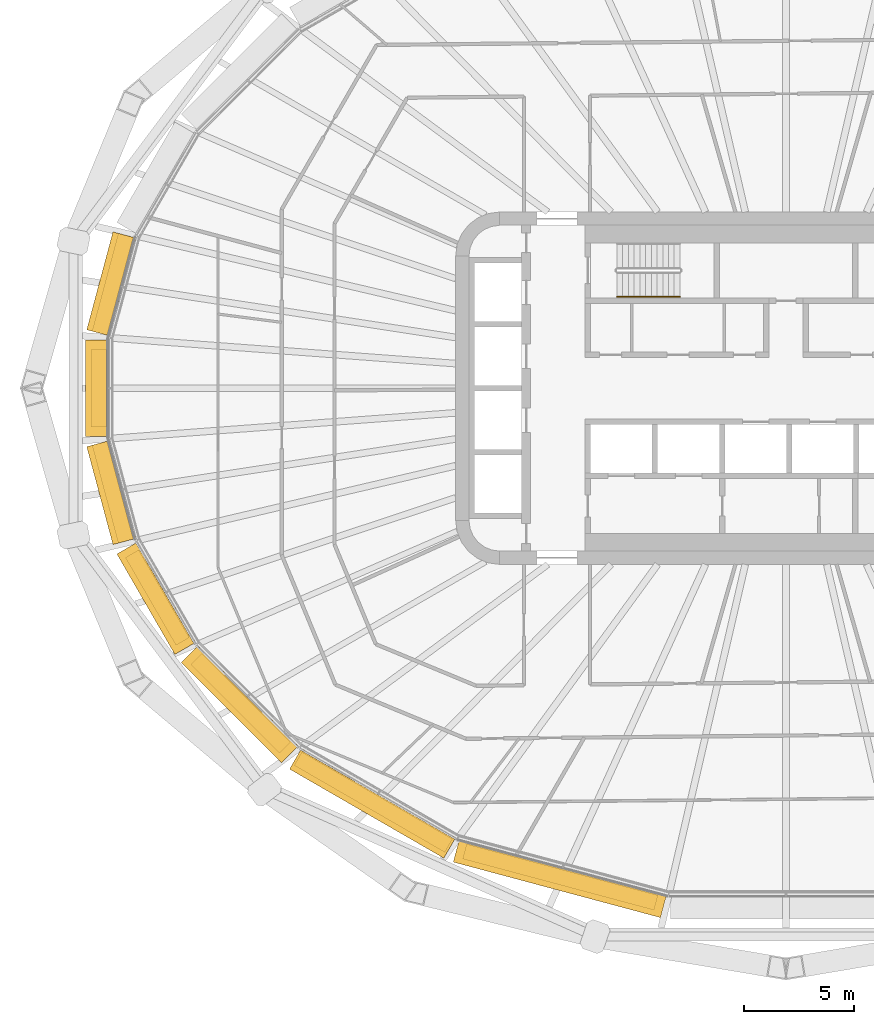
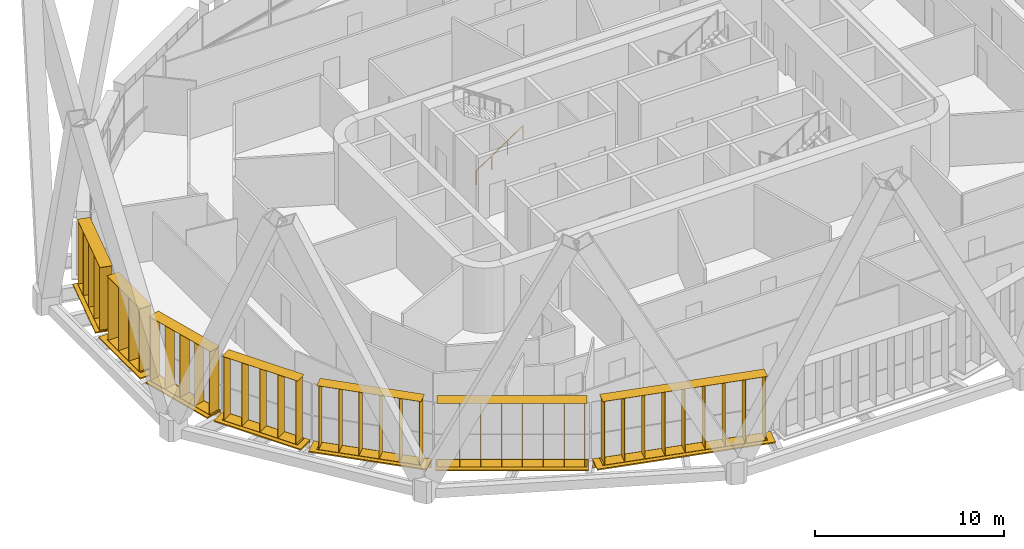
# One storey, part 20 of 25: 14 shading devices, 1 railing.
"""IFC4 building model written with IfcOpenShell, lengths in metres."""

from ifc_helpers import new_model, si_unit, direction, frame, origin, origin_2d, place, context, subcontext, project, spatial, rectangle, circle, extrude, material, type_object, element, save


model = new_model("IFC4")

# Units and contexts
model_context = context("Model", 3, precision=1e-05, world=origin(), true_north=direction((0.0, 1.0)))
body_context = subcontext(model_context, "Body", "Model", "MODEL_VIEW")
ifc_project = project(units=[si_unit("LENGTHUNIT", "METRE"), si_unit("AREAUNIT", "SQUARE_METRE"), si_unit("VOLUMEUNIT", "CUBIC_METRE"), si_unit("PLANEANGLEUNIT", "RADIAN"), si_unit("MASSUNIT", "GRAM", prefix="KILO")], contexts=[model_context])

# Site, building, storey
site_placement = place(None, origin())
site = spatial("IfcSite", under=ifc_project, at=site_placement, CompositionType="ELEMENT")
building_placement = place(site_placement, origin())
building = spatial("IfcBuilding", under=site, at=building_placement, Name="Sahrelin Media Tower", CompositionType="ELEMENT")
storey_placement = place(building_placement, frame((0.0, 0.0, 63.0)))
storey = spatial("IfcBuildingStorey", under=building, at=storey_placement, Name="L10", CompositionType="ELEMENT", Elevation=63.0)

# Shading devices
ifc_material_1 = material(Name="Champagne anodised aluminium 6063-T6", Category="aluminium")
shading_device_type_1 = type_object("IfcShadingDeviceType", Name="Fin cassette", PredefinedType="USERDEFINED", material=ifc_material_1)
placement_1 = place(storey_placement, frame((-30.169189453125, 4.612548828125, 0.0), z_axis=(0.0, 0.0, 1.0), x_axis=(0.258807731996, 0.965928857556, 0.0)))
element("IfcShadingDevice", 1, at=placement_1, inside=storey, type_object=shading_device_type_1, Name="L10:FIN:L10-11", ObjectType="FIN", PredefinedType="USERDEFINED", context=body_context, shape_type="SweptSolid", body=[
    extrude(rectangle(XDim=4.60009765625, YDim=0.699951171875, at=origin_2d()), frame((0.0, 0.419921875, 0.0)), (0.0, 0.0, 1.0), 0.02001953125),
    extrude(rectangle(XDim=4.60009765625, YDim=0.699951171875, at=origin_2d()), frame((0.0, 0.419921875, 4.10009765625)), (0.0, 0.0, 1.0), 0.02001953125),
    extrude(rectangle(XDim=0.02001953125, YDim=0.699951171875, at=origin_2d()), frame((-2.199951171875, 0.419921875, 0.010009765625), z_axis=(0.0, 0.0, 1.0), x_axis=(1.0, 0.0, 0.0)), (0.0, 0.0, 1.0), 4.10009765625),
    extrude(rectangle(XDim=0.02001953125, YDim=0.699951171875, at=origin_2d()), frame((-1.10009765625, 0.419921875, 0.010009765625), z_axis=(0.0, 0.0, 1.0), x_axis=(1.0, 0.0, 0.0)), (0.0, 0.0, 1.0), 4.10009765625),
    extrude(rectangle(XDim=0.02001953125, YDim=0.699951171875, at=origin_2d()), frame((0.0, 0.419921875, 0.010009765625), z_axis=(0.0, 0.0, 1.0), x_axis=(1.0, 0.0, 0.0)), (0.0, 0.0, 1.0), 4.10009765625),
    extrude(rectangle(XDim=0.02001953125, YDim=0.699951171875, at=origin_2d()), frame((1.10009765625, 0.419921875, 0.010009765625), z_axis=(0.0, 0.0, 1.0), x_axis=(1.0, 0.0, 0.0)), (0.0, 0.0, 1.0), 4.10009765625),
    extrude(rectangle(XDim=0.02001953125, YDim=0.699951171875, at=origin_2d()), frame((2.199951171875, 0.419921875, 0.010009765625), z_axis=(0.0, 0.0, 1.0), x_axis=(1.0, 0.0, 0.0)), (0.0, 0.0, 1.0), 4.10009765625),
])
placement_2 = place(storey_placement, frame((-30.790283203125, 0.0, 0.0), z_axis=(0.0, 0.0, 1.0), x_axis=(0.0, 1.0, 0.0)))
element("IfcShadingDevice", 2, at=placement_2, inside=storey, type_object=shading_device_type_1, Name="L10:FIN:L10-12", ObjectType="FIN", PredefinedType="USERDEFINED", context=body_context, shape_type="SweptSolid", body=[
    extrude(rectangle(XDim=3.5, YDim=0.699951171875, at=origin_2d()), frame((0.0, 0.419921875, 0.0)), (0.0, 0.0, 1.0), 0.02001953125),
    extrude(rectangle(XDim=3.5, YDim=0.699951171875, at=origin_2d()), frame((0.0, 0.419921875, 4.10009765625)), (0.0, 0.0, 1.0), 0.02001953125),
    extrude(rectangle(XDim=0.02001953125, YDim=0.699951171875, at=origin_2d()), frame((-1.64990234375, 0.419921875, 0.010009765625), z_axis=(0.0, 0.0, 1.0), x_axis=(1.0, 0.0, 0.0)), (0.0, 0.0, 1.0), 4.10009765625),
    extrude(rectangle(XDim=0.02001953125, YDim=0.699951171875, at=origin_2d()), frame((-0.550048828125, 0.419921875, 0.010009765625), z_axis=(0.0, 0.0, 1.0), x_axis=(1.0, 0.0, 0.0)), (0.0, 0.0, 1.0), 4.10009765625),
    extrude(rectangle(XDim=0.02001953125, YDim=0.699951171875, at=origin_2d()), frame((0.550048828125, 0.419921875, 0.010009765625), z_axis=(0.0, 0.0, 1.0), x_axis=(1.0, 0.0, 0.0)), (0.0, 0.0, 1.0), 4.10009765625),
    extrude(rectangle(XDim=0.02001953125, YDim=0.699951171875, at=origin_2d()), frame((1.64990234375, 0.419921875, 0.010009765625), z_axis=(0.0, 0.0, 1.0), x_axis=(1.0, 0.0, 0.0)), (0.0, 0.0, 1.0), 4.10009765625),
])
placement_3 = place(storey_placement, frame((-30.169189453125, -4.612548828125, 0.0), z_axis=(0.0, 0.0, 1.0), x_axis=(-0.258807731996, 0.965928857556, 0.0)))
element("IfcShadingDevice", 3, at=placement_3, inside=storey, type_object=shading_device_type_1, Name="L10:FIN:L10-13", ObjectType="FIN", PredefinedType="USERDEFINED", context=body_context, shape_type="SweptSolid", body=[
    extrude(rectangle(XDim=4.60009765625, YDim=0.699951171875, at=origin_2d()), frame((0.0, 0.419921875, 0.0)), (0.0, 0.0, 1.0), 0.02001953125),
    extrude(rectangle(XDim=4.60009765625, YDim=0.699951171875, at=origin_2d()), frame((0.0, 0.419921875, 4.10009765625)), (0.0, 0.0, 1.0), 0.02001953125),
    extrude(rectangle(XDim=0.02001953125, YDim=0.699951171875, at=origin_2d()), frame((-2.199951171875, 0.419921875, 0.010009765625), z_axis=(0.0, 0.0, 1.0), x_axis=(1.0, 0.0, 0.0)), (0.0, 0.0, 1.0), 4.10009765625),
    extrude(rectangle(XDim=0.02001953125, YDim=0.699951171875, at=origin_2d()), frame((-1.10009765625, 0.419921875, 0.010009765625), z_axis=(0.0, 0.0, 1.0), x_axis=(1.0, 0.0, 0.0)), (0.0, 0.0, 1.0), 4.10009765625),
    extrude(rectangle(XDim=0.02001953125, YDim=0.699951171875, at=origin_2d()), frame((0.0, 0.419921875, 0.010009765625), z_axis=(0.0, 0.0, 1.0), x_axis=(1.0, 0.0, 0.0)), (0.0, 0.0, 1.0), 4.10009765625),
    extrude(rectangle(XDim=0.02001953125, YDim=0.699951171875, at=origin_2d()), frame((1.10009765625, 0.419921875, 0.010009765625), z_axis=(0.0, 0.0, 1.0), x_axis=(1.0, 0.0, 0.0)), (0.0, 0.0, 1.0), 4.10009765625),
    extrude(rectangle(XDim=0.02001953125, YDim=0.699951171875, at=origin_2d()), frame((2.199951171875, 0.419921875, 0.010009765625), z_axis=(0.0, 0.0, 1.0), x_axis=(1.0, 0.0, 0.0)), (0.0, 0.0, 1.0), 4.10009765625),
])
placement_4 = place(storey_placement, frame((-28.181884765625, -9.296630859375, 0.0), z_axis=(0.0, 0.0, 1.0), x_axis=(-0.500011000363, 0.866019052629, 0.0)))
element("IfcShadingDevice", 4, at=placement_4, inside=storey, type_object=shading_device_type_1, Name="L10:FIN:L10-14", ObjectType="FIN", PredefinedType="USERDEFINED", context=body_context, shape_type="SweptSolid", body=[
    extrude(rectangle(XDim=4.60009765625, YDim=0.699951171875, at=origin_2d()), frame((0.0, 0.419921875, 0.0)), (0.0, 0.0, 1.0), 0.02001953125),
    extrude(rectangle(XDim=4.60009765625, YDim=0.699951171875, at=origin_2d()), frame((0.0, 0.419921875, 4.10009765625)), (0.0, 0.0, 1.0), 0.02001953125),
    extrude(rectangle(XDim=0.02001953125, YDim=0.699951171875, at=origin_2d()), frame((-2.199951171875, 0.419921875, 0.010009765625), z_axis=(0.0, 0.0, 1.0), x_axis=(1.0, 0.0, 0.0)), (0.0, 0.0, 1.0), 4.10009765625),
    extrude(rectangle(XDim=0.02001953125, YDim=0.699951171875, at=origin_2d()), frame((-1.10009765625, 0.419921875, 0.010009765625), z_axis=(0.0, 0.0, 1.0), x_axis=(1.0, 0.0, 0.0)), (0.0, 0.0, 1.0), 4.10009765625),
    extrude(rectangle(XDim=0.02001953125, YDim=0.699951171875, at=origin_2d()), frame((0.0, 0.419921875, 0.010009765625), z_axis=(0.0, 0.0, 1.0), x_axis=(1.0, 0.0, 0.0)), (0.0, 0.0, 1.0), 4.10009765625),
    extrude(rectangle(XDim=0.02001953125, YDim=0.699951171875, at=origin_2d()), frame((1.10009765625, 0.419921875, 0.010009765625), z_axis=(0.0, 0.0, 1.0), x_axis=(1.0, 0.0, 0.0)), (0.0, 0.0, 1.0), 4.10009765625),
    extrude(rectangle(XDim=0.02001953125, YDim=0.699951171875, at=origin_2d()), frame((2.199951171875, 0.419921875, 0.010009765625), z_axis=(0.0, 0.0, 1.0), x_axis=(1.0, 0.0, 0.0)), (0.0, 0.0, 1.0), 4.10009765625),
])
placement_5 = place(storey_placement, frame((-24.46728515625, -14.011474609375, 0.0), z_axis=(0.0, 0.0, 1.0), x_axis=(-0.707106781187, 0.707106781187, 0.0)))
element("IfcShadingDevice", 5, at=placement_5, inside=storey, type_object=shading_device_type_1, Name="L10:FIN:L10-15", ObjectType="FIN", PredefinedType="USERDEFINED", context=body_context, shape_type="SweptSolid", body=[
    extrude(rectangle(XDim=5.699951171875, YDim=0.699951171875, at=origin_2d()), frame((0.0, 0.419921875, 0.0)), (0.0, 0.0, 1.0), 0.02001953125),
    extrude(rectangle(XDim=5.699951171875, YDim=0.699951171875, at=origin_2d()), frame((0.0, 0.419921875, 4.10009765625)), (0.0, 0.0, 1.0), 0.02001953125),
    extrude(rectangle(XDim=0.02001953125, YDim=0.699951171875, at=origin_2d()), frame((-2.75, 0.419921875, 0.010009765625), z_axis=(0.0, 0.0, 1.0), x_axis=(1.0, 0.0, 0.0)), (0.0, 0.0, 1.0), 4.10009765625),
    extrude(rectangle(XDim=0.02001953125, YDim=0.699951171875, at=origin_2d()), frame((-1.64990234375, 0.419921875, 0.010009765625), z_axis=(0.0, 0.0, 1.0), x_axis=(1.0, 0.0, 0.0)), (0.0, 0.0, 1.0), 4.10009765625),
    extrude(rectangle(XDim=0.02001953125, YDim=0.699951171875, at=origin_2d()), frame((-0.550048828125, 0.419921875, 0.010009765625), z_axis=(0.0, 0.0, 1.0), x_axis=(1.0, 0.0, 0.0)), (0.0, 0.0, 1.0), 4.10009765625),
    extrude(rectangle(XDim=0.02001953125, YDim=0.699951171875, at=origin_2d()), frame((0.550048828125, 0.419921875, 0.010009765625), z_axis=(0.0, 0.0, 1.0), x_axis=(1.0, 0.0, 0.0)), (0.0, 0.0, 1.0), 4.10009765625),
    extrude(rectangle(XDim=0.02001953125, YDim=0.699951171875, at=origin_2d()), frame((1.64990234375, 0.419921875, 0.010009765625), z_axis=(0.0, 0.0, 1.0), x_axis=(1.0, 0.0, 0.0)), (0.0, 0.0, 1.0), 4.10009765625),
    extrude(rectangle(XDim=0.02001953125, YDim=0.699951171875, at=origin_2d()), frame((2.75, 0.419921875, 0.010009765625), z_axis=(0.0, 0.0, 1.0), x_axis=(1.0, 0.0, 0.0)), (0.0, 0.0, 1.0), 4.10009765625),
])
placement_6 = place(storey_placement, frame((-18.529296875, -18.432373046875, 0.0), z_axis=(0.0, 0.0, 1.0), x_axis=(-0.866019052629, 0.500011000363, 0.0)))
element("IfcShadingDevice", 6, at=placement_6, inside=storey, type_object=shading_device_type_1, Name="L10:FIN:L10-16", ObjectType="FIN", PredefinedType="USERDEFINED", context=body_context, shape_type="SweptSolid", body=[
    extrude(rectangle(XDim=7.89990234375, YDim=0.699951171875, at=origin_2d()), frame((0.0, 0.419921875, 0.0)), (0.0, 0.0, 1.0), 0.02001953125),
    extrude(rectangle(XDim=7.89990234375, YDim=0.699951171875, at=origin_2d()), frame((0.0, 0.419921875, 4.10009765625)), (0.0, 0.0, 1.0), 0.02001953125),
    extrude(rectangle(XDim=0.02001953125, YDim=0.699951171875, at=origin_2d()), frame((-3.85009765625, 0.419921875, 0.010009765625), z_axis=(0.0, 0.0, 1.0), x_axis=(1.0, 0.0, 0.0)), (0.0, 0.0, 1.0), 4.10009765625),
    extrude(rectangle(XDim=0.02001953125, YDim=0.699951171875, at=origin_2d()), frame((-2.75, 0.419921875, 0.010009765625), z_axis=(0.0, 0.0, 1.0), x_axis=(1.0, 0.0, 0.0)), (0.0, 0.0, 1.0), 4.10009765625),
    extrude(rectangle(XDim=0.02001953125, YDim=0.699951171875, at=origin_2d()), frame((-1.64990234375, 0.419921875, 0.010009765625), z_axis=(0.0, 0.0, 1.0), x_axis=(1.0, 0.0, 0.0)), (0.0, 0.0, 1.0), 4.10009765625),
    extrude(rectangle(XDim=0.02001953125, YDim=0.699951171875, at=origin_2d()), frame((-0.550048828125, 0.419921875, 0.010009765625), z_axis=(0.0, 0.0, 1.0), x_axis=(1.0, 0.0, 0.0)), (0.0, 0.0, 1.0), 4.10009765625),
    extrude(rectangle(XDim=0.02001953125, YDim=0.699951171875, at=origin_2d()), frame((0.550048828125, 0.419921875, 0.010009765625), z_axis=(0.0, 0.0, 1.0), x_axis=(1.0, 0.0, 0.0)), (0.0, 0.0, 1.0), 4.10009765625),
    extrude(rectangle(XDim=0.02001953125, YDim=0.699951171875, at=origin_2d()), frame((1.64990234375, 0.419921875, 0.010009765625), z_axis=(0.0, 0.0, 1.0), x_axis=(1.0, 0.0, 0.0)), (0.0, 0.0, 1.0), 4.10009765625),
    extrude(rectangle(XDim=0.02001953125, YDim=0.699951171875, at=origin_2d()), frame((2.75, 0.419921875, 0.010009765625), z_axis=(0.0, 0.0, 1.0), x_axis=(1.0, 0.0, 0.0)), (0.0, 0.0, 1.0), 4.10009765625),
    extrude(rectangle(XDim=0.02001953125, YDim=0.699951171875, at=origin_2d()), frame((3.85009765625, 0.419921875, 0.010009765625), z_axis=(0.0, 0.0, 1.0), x_axis=(1.0, 0.0, 0.0)), (0.0, 0.0, 1.0), 4.10009765625),
])
placement_7 = place(storey_placement, frame((-10.139404296875, -21.791015625, 0.0), z_axis=(0.0, 0.0, 1.0), x_axis=(-0.965928857556, 0.258807731996, 0.0)))
element("IfcShadingDevice", 7, at=placement_7, inside=storey, type_object=shading_device_type_1, Name="L10:FIN:L10-17", ObjectType="FIN", PredefinedType="USERDEFINED", context=body_context, shape_type="SweptSolid", body=[
    extrude(rectangle(XDim=9.0, YDim=0.699951171875, at=origin_2d()), frame((0.0, 0.419921875, 0.0)), (0.0, 0.0, 1.0), 0.02001953125),
    extrude(rectangle(XDim=9.0, YDim=0.699951171875, at=origin_2d()), frame((0.0, 0.419921875, 4.10009765625)), (0.0, 0.0, 1.0), 0.02001953125),
    extrude(rectangle(XDim=0.02001953125, YDim=0.699951171875, at=origin_2d()), frame((-4.39990234375, 0.419921875, 0.010009765625), z_axis=(0.0, 0.0, 1.0), x_axis=(1.0, 0.0, 0.0)), (0.0, 0.0, 1.0), 4.10009765625),
    extrude(rectangle(XDim=0.02001953125, YDim=0.699951171875, at=origin_2d()), frame((-3.300048828125, 0.419921875, 0.010009765625), z_axis=(0.0, 0.0, 1.0), x_axis=(1.0, 0.0, 0.0)), (0.0, 0.0, 1.0), 4.10009765625),
    extrude(rectangle(XDim=0.02001953125, YDim=0.699951171875, at=origin_2d()), frame((-2.199951171875, 0.419921875, 0.010009765625), z_axis=(0.0, 0.0, 1.0), x_axis=(1.0, 0.0, 0.0)), (0.0, 0.0, 1.0), 4.10009765625),
    extrude(rectangle(XDim=0.02001953125, YDim=0.699951171875, at=origin_2d()), frame((-1.10009765625, 0.419921875, 0.010009765625), z_axis=(0.0, 0.0, 1.0), x_axis=(1.0, 0.0, 0.0)), (0.0, 0.0, 1.0), 4.10009765625),
    extrude(rectangle(XDim=0.02001953125, YDim=0.699951171875, at=origin_2d()), frame((0.0, 0.419921875, 0.010009765625), z_axis=(0.0, 0.0, 1.0), x_axis=(1.0, 0.0, 0.0)), (0.0, 0.0, 1.0), 4.10009765625),
    extrude(rectangle(XDim=0.02001953125, YDim=0.699951171875, at=origin_2d()), frame((1.10009765625, 0.419921875, 0.010009765625), z_axis=(0.0, 0.0, 1.0), x_axis=(1.0, 0.0, 0.0)), (0.0, 0.0, 1.0), 4.10009765625),
    extrude(rectangle(XDim=0.02001953125, YDim=0.699951171875, at=origin_2d()), frame((2.199951171875, 0.419921875, 0.010009765625), z_axis=(0.0, 0.0, 1.0), x_axis=(1.0, 0.0, 0.0)), (0.0, 0.0, 1.0), 4.10009765625),
    extrude(rectangle(XDim=0.02001953125, YDim=0.699951171875, at=origin_2d()), frame((3.300048828125, 0.419921875, 0.010009765625), z_axis=(0.0, 0.0, 1.0), x_axis=(1.0, 0.0, 0.0)), (0.0, 0.0, 1.0), 4.10009765625),
    extrude(rectangle(XDim=0.02001953125, YDim=0.699951171875, at=origin_2d()), frame((4.39990234375, 0.419921875, 0.010009765625), z_axis=(0.0, 0.0, 1.0), x_axis=(1.0, 0.0, 0.0)), (0.0, 0.0, 1.0), 4.10009765625),
])

# Railing
ifc_material_2 = material(Name="Steel S355", Category="steel")
railing_type = type_object("IfcRailingType", Name="Stair handrail 900", PredefinedType="HANDRAIL", material=ifc_material_2)
railing_placement = place(storey_placement, frame((-7.675048828125, 4.14990234375, 0.175048828125)))
element("IfcRailing", 8, at=railing_placement, inside=storey, type_object=railing_type, Name="L10 ST1 stair handrail 1", PredefinedType="HANDRAIL", context=body_context, shape_type="SweptSolid", body=[
    extrude(circle(Radius=0.02392578125, at=origin_2d()), frame((0.0, 0.0, 0.8759765625), z_axis=(0.829590901723, 0.0, 0.558371682465), x_axis=(0.0, 1.0, 0.0)), (0.0, 0.0, 1.0), 3.447509765625),
    extrude(circle(Radius=0.02099609375, at=origin_2d()), origin(), (0.0, 0.0, 1.0), 0.851806640625),
    extrude(circle(Radius=0.02099609375, at=origin_2d()), frame((0.953369140625, 0.0, 0.6416015625)), (0.0, 0.0, 1.0), 0.851806640625),
    extrude(circle(Radius=0.02099609375, at=origin_2d()), frame((1.90673828125, 0.0, 1.283447265625)), (0.0, 0.0, 1.0), 0.851806640625),
    extrude(circle(Radius=0.02099609375, at=origin_2d()), frame((2.860107421875, 0.0, 1.925048828125)), (0.0, 0.0, 1.0), 0.851806640625),
])

# Shading devices
shading_device_type_2 = type_object("IfcShadingDeviceType", Name="Sunshade band", PredefinedType="USERDEFINED", material=ifc_material_1)
element("IfcShadingDevice", 9, at=placement_1, inside=storey, type_object=shading_device_type_2, Name="L10:SUN:L10-11", ObjectType="SUNSHADE", PredefinedType="USERDEFINED", context=body_context, shape_type="SweptSolid", body=[
    extrude(rectangle(XDim=4.599853515625, YDim=0.050048828125, at=origin_2d()), frame((0.0, 0.044921875, -0.55126953125)), (0.0, 0.0, 1.0), 0.471435546875),
    extrude(rectangle(XDim=4.599853515625, YDim=1.0, at=origin_2d()), frame((0.0, 0.52001953125, -0.080078125)), (0.0, 0.0, 1.0), 0.080078125),
    extrude(rectangle(XDim=0.10009765625, YDim=0.074951171875, at=origin_2d()), frame((-2.199951171875, -0.017578125, -0.47021484375)), (0.0, 0.0, 1.0), 0.300048828125),
    extrude(rectangle(XDim=0.10009765625, YDim=0.074951171875, at=origin_2d()), frame((-0.7333984375, -0.017578125, -0.47021484375)), (0.0, 0.0, 1.0), 0.300048828125),
    extrude(rectangle(XDim=0.10009765625, YDim=0.074951171875, at=origin_2d()), frame((0.7333984375, -0.017578125, -0.47021484375)), (0.0, 0.0, 1.0), 0.300048828125),
    extrude(rectangle(XDim=0.10009765625, YDim=0.074951171875, at=origin_2d()), frame((2.199951171875, -0.017578125, -0.47021484375)), (0.0, 0.0, 1.0), 0.300048828125),
])
element("IfcShadingDevice", 10, at=placement_2, inside=storey, type_object=shading_device_type_2, Name="L10:SUN:L10-12", ObjectType="SUNSHADE", PredefinedType="USERDEFINED", context=body_context, shape_type="SweptSolid", body=[
    extrude(rectangle(XDim=4.388916015625, YDim=0.050048828125, at=origin_2d()), frame((0.0, 0.044921875, -0.55126953125)), (0.0, 0.0, 1.0), 0.471435546875),
    extrude(rectangle(XDim=4.388916015625, YDim=1.0, at=origin_2d()), frame((0.0, 0.52001953125, -0.080078125)), (0.0, 0.0, 1.0), 0.080078125),
    extrude(rectangle(XDim=0.10009765625, YDim=0.074951171875, at=origin_2d()), frame((-2.094482421875, -0.017578125, -0.47021484375)), (0.0, 0.0, 1.0), 0.300048828125),
    extrude(rectangle(XDim=0.10009765625, YDim=0.074951171875, at=origin_2d()), frame((-0.697998046875, -0.017578125, -0.47021484375)), (0.0, 0.0, 1.0), 0.300048828125),
    extrude(rectangle(XDim=0.10009765625, YDim=0.074951171875, at=origin_2d()), frame((0.697998046875, -0.017578125, -0.47021484375)), (0.0, 0.0, 1.0), 0.300048828125),
    extrude(rectangle(XDim=0.10009765625, YDim=0.074951171875, at=origin_2d()), frame((2.094482421875, -0.017578125, -0.47021484375)), (0.0, 0.0, 1.0), 0.300048828125),
])
element("IfcShadingDevice", 11, at=placement_3, inside=storey, type_object=shading_device_type_2, Name="L10:SUN:L10-13", ObjectType="SUNSHADE", PredefinedType="USERDEFINED", context=body_context, shape_type="SweptSolid", body=[
    extrude(rectangle(XDim=4.599853515625, YDim=0.050048828125, at=origin_2d()), frame((0.0, 0.044921875, -0.55126953125)), (0.0, 0.0, 1.0), 0.471435546875),
    extrude(rectangle(XDim=4.599853515625, YDim=1.0, at=origin_2d()), frame((0.0, 0.52001953125, -0.080078125)), (0.0, 0.0, 1.0), 0.080078125),
    extrude(rectangle(XDim=0.10009765625, YDim=0.074951171875, at=origin_2d()), frame((-2.199951171875, -0.017578125, -0.47021484375)), (0.0, 0.0, 1.0), 0.300048828125),
    extrude(rectangle(XDim=0.10009765625, YDim=0.074951171875, at=origin_2d()), frame((-0.7333984375, -0.017578125, -0.47021484375)), (0.0, 0.0, 1.0), 0.300048828125),
    extrude(rectangle(XDim=0.10009765625, YDim=0.074951171875, at=origin_2d()), frame((0.7333984375, -0.017578125, -0.47021484375)), (0.0, 0.0, 1.0), 0.300048828125),
    extrude(rectangle(XDim=0.10009765625, YDim=0.074951171875, at=origin_2d()), frame((2.199951171875, -0.017578125, -0.47021484375)), (0.0, 0.0, 1.0), 0.300048828125),
])
element("IfcShadingDevice", 12, at=placement_4, inside=storey, type_object=shading_device_type_2, Name="L10:SUN:L10-14", ObjectType="SUNSHADE", PredefinedType="USERDEFINED", context=body_context, shape_type="SweptSolid", body=[
    extrude(rectangle(XDim=5.263916015625, YDim=0.050048828125, at=origin_2d()), frame((0.0, 0.044921875, -0.55126953125)), (0.0, 0.0, 1.0), 0.471435546875),
    extrude(rectangle(XDim=5.263916015625, YDim=1.0, at=origin_2d()), frame((0.0, 0.52001953125, -0.080078125)), (0.0, 0.0, 1.0), 0.080078125),
    extrude(rectangle(XDim=0.10009765625, YDim=0.074951171875, at=origin_2d()), frame((-2.531982421875, -0.017578125, -0.47021484375)), (0.0, 0.0, 1.0), 0.300048828125),
    extrude(rectangle(XDim=0.10009765625, YDim=0.074951171875, at=origin_2d()), frame((-0.843994140625, -0.017578125, -0.47021484375)), (0.0, 0.0, 1.0), 0.300048828125),
    extrude(rectangle(XDim=0.10009765625, YDim=0.074951171875, at=origin_2d()), frame((0.843994140625, -0.017578125, -0.47021484375)), (0.0, 0.0, 1.0), 0.300048828125),
    extrude(rectangle(XDim=0.10009765625, YDim=0.074951171875, at=origin_2d()), frame((2.531982421875, -0.017578125, -0.47021484375)), (0.0, 0.0, 1.0), 0.300048828125),
])
element("IfcShadingDevice", 13, at=placement_5, inside=storey, type_object=shading_device_type_2, Name="L10:SUN:L10-15", ObjectType="SUNSHADE", PredefinedType="USERDEFINED", context=body_context, shape_type="SweptSolid", body=[
    extrude(rectangle(XDim=6.443603515625, YDim=0.050048828125, at=origin_2d()), frame((0.0, 0.044921875, -0.55126953125)), (0.0, 0.0, 1.0), 0.471435546875),
    extrude(rectangle(XDim=6.443603515625, YDim=1.0, at=origin_2d()), frame((0.0, 0.52001953125, -0.080078125)), (0.0, 0.0, 1.0), 0.080078125),
    extrude(rectangle(XDim=0.10009765625, YDim=0.074951171875, at=origin_2d()), frame((-3.121826171875, -0.017578125, -0.47021484375)), (0.0, 0.0, 1.0), 0.300048828125),
    extrude(rectangle(XDim=0.10009765625, YDim=0.074951171875, at=origin_2d()), frame((-1.560791015625, -0.017578125, -0.47021484375)), (0.0, 0.0, 1.0), 0.300048828125),
    extrude(rectangle(XDim=0.10009765625, YDim=0.074951171875, at=origin_2d()), frame((0.0, -0.017578125, -0.47021484375)), (0.0, 0.0, 1.0), 0.300048828125),
    extrude(rectangle(XDim=0.10009765625, YDim=0.074951171875, at=origin_2d()), frame((1.560791015625, -0.017578125, -0.47021484375)), (0.0, 0.0, 1.0), 0.300048828125),
    extrude(rectangle(XDim=0.10009765625, YDim=0.074951171875, at=origin_2d()), frame((3.121826171875, -0.017578125, -0.47021484375)), (0.0, 0.0, 1.0), 0.300048828125),
])
element("IfcShadingDevice", 14, at=placement_6, inside=storey, type_object=shading_device_type_2, Name="L10:SUN:L10-16", ObjectType="SUNSHADE", PredefinedType="USERDEFINED", context=body_context, shape_type="SweptSolid", body=[
    extrude(rectangle(XDim=8.088134765625, YDim=0.050048828125, at=origin_2d()), frame((0.0, 0.044921875, -0.55126953125)), (0.0, 0.0, 1.0), 0.471435546875),
    extrude(rectangle(XDim=8.088134765625, YDim=1.0, at=origin_2d()), frame((0.0, 0.52001953125, -0.080078125)), (0.0, 0.0, 1.0), 0.080078125),
    extrude(rectangle(XDim=0.10009765625, YDim=0.074951171875, at=origin_2d()), frame((-3.944091796875, -0.017578125, -0.47021484375)), (0.0, 0.0, 1.0), 0.300048828125),
    extrude(rectangle(XDim=0.10009765625, YDim=0.074951171875, at=origin_2d()), frame((-2.366455078125, -0.017578125, -0.47021484375)), (0.0, 0.0, 1.0), 0.300048828125),
    extrude(rectangle(XDim=0.10009765625, YDim=0.074951171875, at=origin_2d()), frame((-0.788818359375, -0.017578125, -0.47021484375)), (0.0, 0.0, 1.0), 0.300048828125),
    extrude(rectangle(XDim=0.10009765625, YDim=0.074951171875, at=origin_2d()), frame((0.788818359375, -0.017578125, -0.47021484375)), (0.0, 0.0, 1.0), 0.300048828125),
    extrude(rectangle(XDim=0.10009765625, YDim=0.074951171875, at=origin_2d()), frame((2.366455078125, -0.017578125, -0.47021484375)), (0.0, 0.0, 1.0), 0.300048828125),
    extrude(rectangle(XDim=0.10009765625, YDim=0.074951171875, at=origin_2d()), frame((3.944091796875, -0.017578125, -0.47021484375)), (0.0, 0.0, 1.0), 0.300048828125),
])
element("IfcShadingDevice", 15, at=placement_7, inside=storey, type_object=shading_device_type_2, Name="L10:SUN:L10-17", ObjectType="SUNSHADE", PredefinedType="USERDEFINED", context=body_context, shape_type="SweptSolid", body=[
    extrude(rectangle(XDim=9.74072265625, YDim=0.050048828125, at=origin_2d()), frame((0.0, 0.044921875, -0.55126953125)), (0.0, 0.0, 1.0), 0.471435546875),
    extrude(rectangle(XDim=9.74072265625, YDim=1.0, at=origin_2d()), frame((0.0, 0.52001953125, -0.080078125)), (0.0, 0.0, 1.0), 0.080078125),
    extrude(rectangle(XDim=0.10009765625, YDim=0.074951171875, at=origin_2d()), frame((-4.7705078125, -0.017578125, -0.47021484375)), (0.0, 0.0, 1.0), 0.300048828125),
    extrude(rectangle(XDim=0.10009765625, YDim=0.074951171875, at=origin_2d()), frame((-2.8623046875, -0.017578125, -0.47021484375)), (0.0, 0.0, 1.0), 0.300048828125),
    extrude(rectangle(XDim=0.10009765625, YDim=0.074951171875, at=origin_2d()), frame((-0.9541015625, -0.017578125, -0.47021484375)), (0.0, 0.0, 1.0), 0.300048828125),
    extrude(rectangle(XDim=0.10009765625, YDim=0.074951171875, at=origin_2d()), frame((0.9541015625, -0.017578125, -0.47021484375)), (0.0, 0.0, 1.0), 0.300048828125),
    extrude(rectangle(XDim=0.10009765625, YDim=0.074951171875, at=origin_2d()), frame((2.8623046875, -0.017578125, -0.47021484375)), (0.0, 0.0, 1.0), 0.300048828125),
    extrude(rectangle(XDim=0.10009765625, YDim=0.074951171875, at=origin_2d()), frame((4.7705078125, -0.017578125, -0.47021484375)), (0.0, 0.0, 1.0), 0.300048828125),
])

save(model, "model.ifc")
